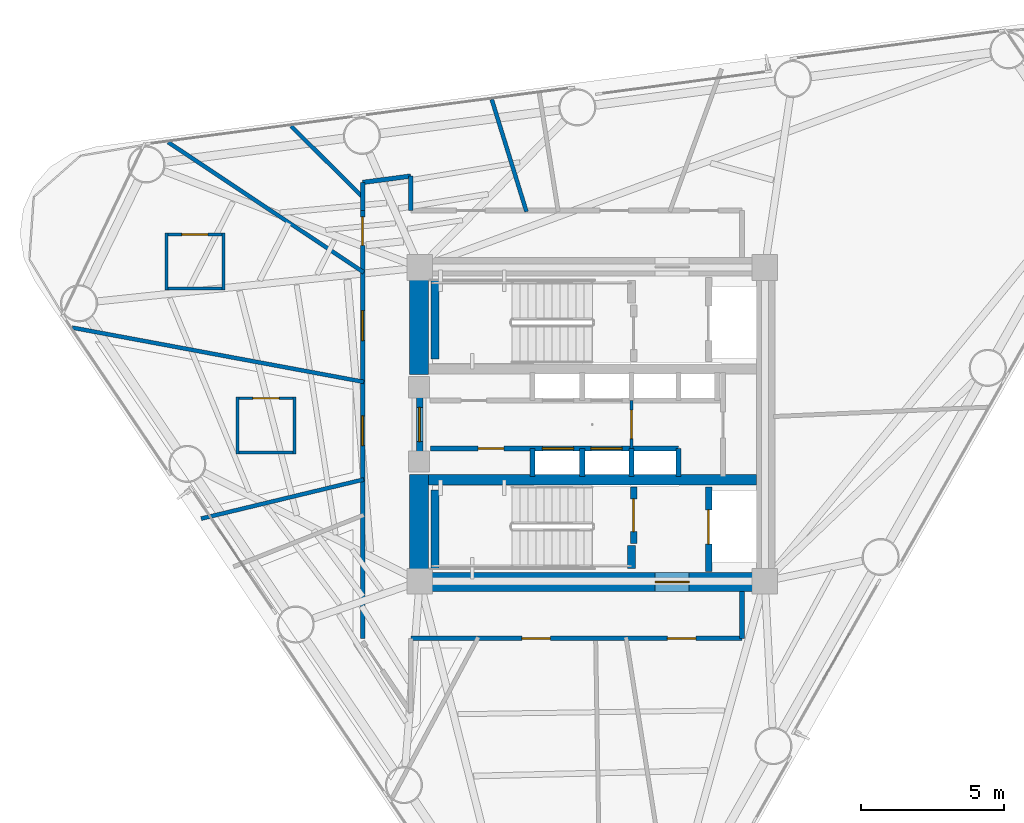
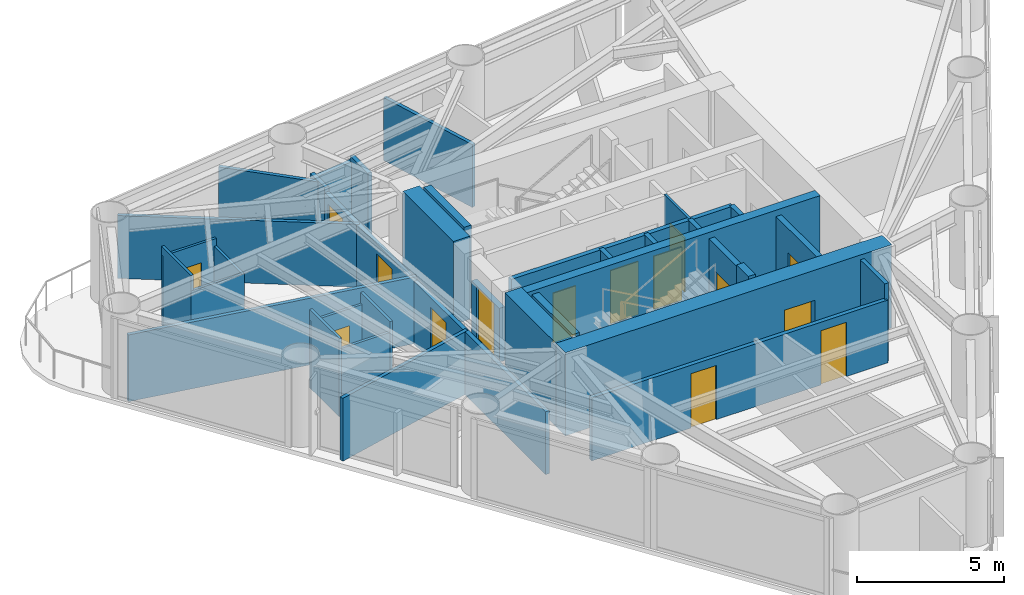
# One storey, part 5 of 10: 35 walls, 15 doors, 15 openings.
"""IFC4 building model written with IfcOpenShell, lengths in metres."""

from ifc_helpers import new_model, si_unit, direction, frame, frame_2d, origin, place, context, subcontext, project, spatial, rectangle, extrude, material, layer, layer_set, type_object, element, fill, save


model = new_model("IFC4")

# Units and contexts
model_context = context("Model", 3, precision=1e-05, world=origin(), true_north=direction((0.0, 1.0)))
body_context = subcontext(model_context, "Body", "Model", "MODEL_VIEW")
ifc_project = project(units=[si_unit("LENGTHUNIT", "METRE"), si_unit("AREAUNIT", "SQUARE_METRE"), si_unit("VOLUMEUNIT", "CUBIC_METRE"), si_unit("PLANEANGLEUNIT", "RADIAN"), si_unit("MASSUNIT", "GRAM", prefix="KILO")], contexts=[model_context])

# Site, building, storey
site_placement = place(None, origin())
site = spatial("IfcSite", under=ifc_project, at=site_placement, CompositionType="ELEMENT")
building_placement = place(site_placement, origin())
building = spatial("IfcBuilding", under=site, at=building_placement, Name="Yunling Apex Tower", CompositionType="ELEMENT")
storey_placement = place(building_placement, frame((0.0, 0.0, 158.75)))
storey = spatial("IfcBuildingStorey", under=building, at=storey_placement, Name="L38", CompositionType="ELEMENT", Elevation=158.75)

# Wall, opening, door
ifc_material_1 = material(Name="Concrete C50", Category="concrete")
ifc_layer_1 = layer(ifc_material_1, 0.64990234375)
ifc_layer_set_1 = layer_set([ifc_layer_1], Name="Concrete C50")
wall_type_1 = type_object("IfcWallType", Name="WL-COR-2", PredefinedType="SHEAR", material=ifc_layer_set_1)
wall_1_placement = place(storey_placement, frame((-6.39990234375, -5.52490234375, 0.0), z_axis=(0.0, 0.0, 1.0), x_axis=(1.0, 0.0, 0.0)))
wall_1 = element("IfcWall", 1, at=wall_1_placement, inside=storey, type_object=wall_type_1, Name="L38 South Core Shear Wall", PredefinedType="SHEAR", context=body_context, shape_type="SweptSolid", body=[
    extrude(rectangle(XDim=12.7998046875, YDim=0.64990234375, at=frame_2d((6.39990234375, 0.0))), origin(), (0.0, 0.0, 1.0), 3.449951171875),
])
opening_1_placement = place(wall_1_placement, frame((8.60009765625, 0.0, 0.0)))
opening_1 = element("IfcOpeningElement", 2, at=opening_1_placement, cuts=wall_1, Name="Opening DR-FFL-1", PredefinedType="OPENING", context=body_context, shape_type="SweptSolid", body=[
    extrude(rectangle(XDim=1.199951171875, YDim=2.199951171875, at=frame_2d((0.60009765625, 1.10009765625))), frame((0.0, 0.3349609375, 0.0), z_axis=(0.0, -1.0, 0.0), x_axis=(1.0, 0.0, 0.0)), (0.0, 0.0, 1.0), 0.669921875),
])
ifc_material_2 = material(Name="Steel Q355B", Category="steel")
door_type_1 = type_object("IfcDoorType", Name="DR-FFL-1", OperationType="NOTDEFINED", PredefinedType="DOOR", material=ifc_material_2)
door_1_placement = place(opening_1_placement, origin())
door_1 = element("IfcDoor", 3, at=door_1_placement, inside=storey, type_object=door_type_1, Name="L38 South Firefighting Lobby Door", OperationType="SINGLE_SWING_RIGHT", OverallHeight=2.199951171875, OverallWidth=1.199951171875, PredefinedType="DOOR", context=body_context, shape_type="SweptSolid", body=[
    extrude(rectangle(XDim=1.199951171875, YDim=2.199951171875, at=frame_2d((0.60009765625, 1.10009765625))), frame((0.0, 0.02490234375, 0.0), z_axis=(0.0, -1.0, 0.0), x_axis=(1.0, 0.0, 0.0)), (0.0, 0.0, 1.0), 0.050048828125),
])
fill(opening_1, door_1)

# Walls
for number, where, z_axis, x_axis, name in (
    (4, (-6.074951171875, -5.199951171875, 0.0), (0.0, 0.0, 1.0), (0.0, 1.0, 0.0), "L38 West-South Core Shear Wall"),
    (5, (-6.074951171875, 1.75, 0.0), (0.0, 0.0, 1.0), (0.0, 1.0, 0.0), "L38 West-North Core Shear Wall"),
):
    element("IfcWall", number, at=place(storey_placement, frame(where, z_axis=z_axis, x_axis=x_axis)), inside=storey, type_object=wall_type_1, Name=name, PredefinedType="SHEAR", context=body_context, shape_type="SweptSolid", body=[
        extrude(rectangle(XDim=3.449951171875, YDim=0.64990234375, at=frame_2d((1.72509765625, 0.0))), origin(), (0.0, 0.0, 1.0), 3.449951171875),
    ])
ifc_material_3 = material(Name="Concrete C40", Category="concrete")
ifc_layer_2 = layer(ifc_material_3, 0.360107421875)
ifc_layer_set_2 = layer_set([ifc_layer_2], Name="Concrete C40")
wall_type_2 = type_object("IfcWallType", Name="WL-COR-4", PredefinedType="SHEAR", material=ifc_layer_set_2)
wall_2_placement = place(storey_placement, frame((-5.75, -1.93994140625, 0.0), z_axis=(0.0, 0.0, 1.0), x_axis=(1.0, 0.0, 0.0)))
element("IfcWall", 6, at=wall_2_placement, inside=storey, type_object=wall_type_2, Name="L38 South Internal Core Shear Wall", PredefinedType="SHEAR", context=body_context, shape_type="SweptSolid", body=[
    extrude(rectangle(XDim=11.5, YDim=0.360107421875, at=frame_2d((5.75, 0.0))), origin(), (0.0, 0.0, 1.0), 3.449951171875),
])
ifc_layer_3 = layer(ifc_material_3, 0.280029296875)
ifc_layer_set_3 = layer_set([ifc_layer_3], Name="Concrete C40")
wall_type_3 = type_object("IfcWallType", Name="WL-COR-8", PredefinedType="SHEAR", material=ifc_layer_set_3)
for number, where, z_axis, x_axis, name in (
    (7, (-5.52001953125, 2.300048828125, 0.0), (0.0, 0.0, 1.0), (0.0, 1.0, 0.0), "L38 ST-1 West Landing Bearing Wall"),
    (8, (-5.52001953125, -5.050048828125, 0.0), (0.0, 0.0, 1.0), (0.0, 1.0, 0.0), "L38 ST-2 West Landing Bearing Wall"),
):
    element("IfcWall", number, at=place(storey_placement, frame(where, z_axis=z_axis, x_axis=x_axis)), inside=storey, type_object=wall_type_3, Name=name, PredefinedType="SHEAR", context=body_context, shape_type="SweptSolid", body=[
        extrude(rectangle(XDim=2.75, YDim=0.280029296875, at=frame_2d((1.375, 0.0))), origin(), (0.0, 0.0, 1.0), 3.449951171875),
    ])
wall_3_placement = place(storey_placement, frame((1.3798828125, -5.050048828125, 0.0), z_axis=(0.0, 0.0, 1.0), x_axis=(0.0, 1.0, 0.0)))
element("IfcWall", 9, at=wall_3_placement, inside=storey, type_object=wall_type_3, Name="L38 ST-2 East Landing Bearing Pier", PredefinedType="SHEAR", context=body_context, shape_type="SweptSolid", body=[
    extrude(rectangle(XDim=0.800048828125, YDim=0.280029296875, at=frame_2d((0.39990234375, 0.0))), origin(), (0.0, 0.0, 1.0), 3.449951171875),
])

# Wall, openings, doors
ifc_material_4 = material(Name="Gypsum board acoustic partition")
ifc_layer_4 = layer(ifc_material_4, 0.159912109375)
ifc_layer_set_4 = layer_set([ifc_layer_4], Name="Gypsum board acoustic partition")
wall_type_4 = type_object("IfcWallType", Name="WL-PRT-1", PredefinedType="PARTITIONING", material=ifc_layer_set_4)
wall_4_placement = place(storey_placement, frame((-8.050048828125, -7.5, 0.0), z_axis=(0.0, 0.0, 1.0), x_axis=(0.0, 1.0, 0.0)))
wall_4 = element("IfcWall", 10, at=wall_4_placement, inside=storey, type_object=wall_type_4, Name="WL-CORR-L38-03", PredefinedType="PARTITIONING", context=body_context, shape_type="SweptSolid", body=[
    extrude(rectangle(XDim=15.0, YDim=0.159912109375, at=frame_2d((7.5, 0.0))), origin(), (0.0, 0.0, 1.0), 2.60498046875),
])
opening_2_placement = place(wall_4_placement, frame((6.7529296875, 0.0, 0.0)))
opening_2 = element("IfcOpeningElement", 11, at=opening_2_placement, cuts=wall_4, Name="Opening DR-FL-1", PredefinedType="OPENING", context=body_context, shape_type="SweptSolid", body=[
    extrude(rectangle(XDim=1.050048828125, YDim=2.199951171875, at=frame_2d((0.52490234375, 1.10009765625))), frame((0.0, 0.08984375, 0.0), z_axis=(0.0, -1.0, 0.0), x_axis=(1.0, 0.0, 0.0)), (0.0, 0.0, 1.0), 0.179931640625),
])
opening_3_placement = place(wall_4_placement, frame((10.436279296875, 0.0, 0.0)))
opening_3 = element("IfcOpeningElement", 12, at=opening_3_placement, cuts=wall_4, Name="Opening DR-FL-1", PredefinedType="OPENING", context=body_context, shape_type="SweptSolid", body=[
    extrude(rectangle(XDim=1.050048828125, YDim=2.199951171875, at=frame_2d((0.52490234375, 1.10009765625))), frame((0.0, 0.08984375, 0.0), z_axis=(0.0, -1.0, 0.0), x_axis=(1.0, 0.0, 0.0)), (0.0, 0.0, 1.0), 0.179931640625),
])
opening_4_placement = place(wall_4_placement, frame((13.780029296875, 0.0, 0.0)))
opening_4 = element("IfcOpeningElement", 13, at=opening_4_placement, cuts=wall_4, Name="Opening DR-OFF-1", PredefinedType="OPENING", context=body_context, shape_type="SweptSolid", body=[
    extrude(rectangle(XDim=1.0, YDim=2.25, at=frame_2d((0.5, 1.125))), frame((0.0, 0.08984375, 0.0), z_axis=(0.0, -1.0, 0.0), x_axis=(1.0, 0.0, 0.0)), (0.0, 0.0, 1.0), 0.179931640625),
])
ifc_material_5 = material(Name="Timber fire-rated leaf", Category="wood")
door_type_2 = type_object("IfcDoorType", Name="DR-FL-1", OperationType="NOTDEFINED", PredefinedType="DOOR", material=ifc_material_5)
door_2_placement = place(opening_2_placement, origin())
door_2 = element("IfcDoor", 14, at=door_2_placement, inside=storey, type_object=door_type_2, Name="L38 Hotel Guest Room Door", OperationType="SINGLE_SWING_LEFT", OverallHeight=2.199951171875, OverallWidth=1.050048828125, PredefinedType="DOOR", context=body_context, shape_type="SweptSolid", body=[
    extrude(rectangle(XDim=1.050048828125, YDim=2.199951171875, at=frame_2d((0.52490234375, 1.10009765625))), frame((0.0, 0.02490234375, 0.0), z_axis=(0.0, -1.0, 0.0), x_axis=(1.0, 0.0, 0.0)), (0.0, 0.0, 1.0), 0.050048828125),
])
fill(opening_2, door_2)
door_3_placement = place(opening_3_placement, origin())
door_3 = element("IfcDoor", 15, at=door_3_placement, inside=storey, type_object=door_type_2, Name="L38 Hotel Suite Door", OperationType="SINGLE_SWING_RIGHT", OverallHeight=2.199951171875, OverallWidth=1.050048828125, PredefinedType="DOOR", context=body_context, shape_type="SweptSolid", body=[
    extrude(rectangle(XDim=1.050048828125, YDim=2.199951171875, at=frame_2d((0.52490234375, 1.10009765625))), frame((0.0, 0.02490234375, 0.0), z_axis=(0.0, -1.0, 0.0), x_axis=(1.0, 0.0, 0.0)), (0.0, 0.0, 1.0), 0.050048828125),
])
fill(opening_3, door_3)
ifc_material_6 = material(Name="Bronze anodised aluminium", Category="aluminium")
door_type_3 = type_object("IfcDoorType", Name="DR-OFF-1", OperationType="NOTDEFINED", PredefinedType="DOOR", material=ifc_material_6)
door_4_placement = place(opening_4_placement, origin())
door_4 = element("IfcDoor", 16, at=door_4_placement, inside=storey, type_object=door_type_3, Name="L38 Club Lounge Door", OperationType="SINGLE_SWING_LEFT", OverallHeight=2.25, OverallWidth=1.0, PredefinedType="DOOR", context=body_context, shape_type="SweptSolid", body=[
    extrude(rectangle(XDim=1.0, YDim=2.25, at=frame_2d((0.5, 1.125))), frame((0.0, 0.02490234375, 0.0), z_axis=(0.0, -1.0, 0.0), x_axis=(1.0, 0.0, 0.0)), (0.0, 0.0, 1.0), 0.050048828125),
])
fill(opening_4, door_4)

# Walls
wall_5_placement = place(storey_placement, frame((-8.050048828125, 7.5, 0.0), z_axis=(0.0, 0.0, 1.0), x_axis=(0.0, 1.0, 0.0)))
element("IfcWall", 17, at=wall_5_placement, inside=storey, type_object=wall_type_4, Name="WL-CORR-L38-04", PredefinedType="PARTITIONING", context=body_context, shape_type="SweptSolid", body=[
    extrude(rectangle(XDim=0.983642578125, YDim=0.159912109375, at=frame_2d((0.49169921875, 0.0))), origin(), (0.0, 0.0, 1.0), 2.804931640625),
])
wall_6_placement = place(storey_placement, frame((-8.050048828125, 8.483642578125, 0.0), z_axis=(0.0, 0.0, 1.0), x_axis=(0.991338869543, 0.131328769629, 0.0)))
element("IfcWall", 18, at=wall_6_placement, inside=storey, type_object=wall_type_4, Name="WL-CORR-L38-05", PredefinedType="PARTITIONING", context=body_context, shape_type="SweptSolid", body=[
    extrude(rectangle(XDim=1.70458984375, YDim=0.159912109375, at=frame_2d((0.852294921875, 0.0))), origin(), (0.0, 0.0, 1.0), 2.60498046875),
])
wall_7_placement = place(storey_placement, frame((-6.360107421875, 8.70751953125, 0.0), z_axis=(0.0, 0.0, 1.0), x_axis=(0.0, -1.0, 0.0)))
element("IfcWall", 19, at=wall_7_placement, inside=storey, type_object=wall_type_4, Name="WL-CORR-L38-06", PredefinedType="PARTITIONING", context=body_context, shape_type="SweptSolid", body=[
    extrude(rectangle(XDim=1.20751953125, YDim=0.159912109375, at=frame_2d((0.603759765625, 0.0))), origin(), (0.0, 0.0, 1.0), 2.804931640625),
])
wall_8_placement = place(storey_placement, frame((5.25, -5.85009765625, 0.0), z_axis=(0.0, 0.0, 1.0), x_axis=(0.0, -1.0, 0.0)))
element("IfcWall", 20, at=wall_8_placement, inside=storey, type_object=wall_type_4, Name="WL-CORR-L38-09", PredefinedType="PARTITIONING", context=body_context, shape_type="SweptSolid", body=[
    extrude(rectangle(XDim=1.64990234375, YDim=0.159912109375, at=frame_2d((0.824951171875, 0.0))), origin(), (0.0, 0.0, 1.0), 3.25),
])

# Wall, openings, doors
wall_9_placement = place(storey_placement, frame((5.25, -7.5, 0.0), z_axis=(0.0, 0.0, 1.0), x_axis=(-1.0, 0.0, 0.0)))
wall_9 = element("IfcWall", 21, at=wall_9_placement, inside=storey, type_object=wall_type_4, Name="WL-CORR-L38-10", PredefinedType="PARTITIONING", context=body_context, shape_type="SweptSolid", body=[
    extrude(rectangle(XDim=11.610107421875, YDim=0.159912109375, at=frame_2d((5.80517578125, 0.0))), origin(), (0.0, 0.0, 1.0), 2.60498046875),
])
opening_5_placement = place(wall_9_placement, frame((1.6181640625, 0.0, 0.0)))
opening_5 = element("IfcOpeningElement", 22, at=opening_5_placement, cuts=wall_9, Name="Opening DR-OFF-1", PredefinedType="OPENING", context=body_context, shape_type="SweptSolid", body=[
    extrude(rectangle(XDim=1.0, YDim=2.25, at=frame_2d((0.5, 1.125))), frame((0.0, 0.08984375, 0.0), z_axis=(0.0, -1.0, 0.0), x_axis=(1.0, 0.0, 0.0)), (0.0, 0.0, 1.0), 0.179931640625),
])
opening_6_placement = place(wall_9_placement, frame((6.718505859375, 0.0, 0.0)))
opening_6 = element("IfcOpeningElement", 23, at=opening_6_placement, cuts=wall_9, Name="Opening DR-OFF-1", PredefinedType="OPENING", context=body_context, shape_type="SweptSolid", body=[
    extrude(rectangle(XDim=1.0, YDim=2.25, at=frame_2d((0.5, 1.125))), frame((0.0, 0.08984375, 0.0), z_axis=(0.0, -1.0, 0.0), x_axis=(1.0, 0.0, 0.0)), (0.0, 0.0, 1.0), 0.179931640625),
])
door_5_placement = place(opening_5_placement, origin())
door_5 = element("IfcDoor", 24, at=door_5_placement, inside=storey, type_object=door_type_3, Name="L38 Club Lounge Door", OperationType="SINGLE_SWING_LEFT", OverallHeight=2.25, OverallWidth=1.0, PredefinedType="DOOR", context=body_context, shape_type="SweptSolid", body=[
    extrude(rectangle(XDim=1.0, YDim=2.25, at=frame_2d((0.5, 1.125))), frame((0.0, 0.02490234375, 0.0), z_axis=(0.0, -1.0, 0.0), x_axis=(1.0, 0.0, 0.0)), (0.0, 0.0, 1.0), 0.050048828125),
])
fill(opening_5, door_5)
door_6_placement = place(opening_6_placement, origin())
door_6 = element("IfcDoor", 25, at=door_6_placement, inside=storey, type_object=door_type_3, Name="L38 Luggage Archive Store Door", OperationType="SINGLE_SWING_RIGHT", OverallHeight=2.25, OverallWidth=1.0, PredefinedType="DOOR", context=body_context, shape_type="SweptSolid", body=[
    extrude(rectangle(XDim=1.0, YDim=2.25, at=frame_2d((0.5, 1.125))), frame((0.0, 0.02490234375, 0.0), z_axis=(0.0, -1.0, 0.0), x_axis=(1.0, 0.0, 0.0)), (0.0, 0.0, 1.0), 0.050048828125),
])
fill(opening_6, door_6)

# Walls
ifc_layer_5 = layer(ifc_material_4, 0.139892578125)
ifc_layer_set_5 = layer_set([ifc_layer_5], Name="Gypsum board acoustic partition")
wall_type_5 = type_object("IfcWallType", Name="WL-PRT-2", PredefinedType="PARTITIONING", material=ifc_layer_set_5)
wall_10_placement = place(storey_placement, frame((-2.306640625, 7.4599609375, 0.0), z_axis=(0.0, 0.0, 1.0), x_axis=(-0.295406664686, 0.955371604382, 0.0)))
element("IfcWall", 26, at=wall_10_placement, inside=storey, type_object=wall_type_5, Name="WL-RAD-L38-04", PredefinedType="PARTITIONING", context=body_context, shape_type="SweptSolid", body=[
    extrude(rectangle(XDim=4.11669921875, YDim=0.139892578125, at=frame_2d((2.058349609375, 0.0))), origin(), (0.0, 0.0, 1.0), 2.60498046875),
])
wall_11_placement = place(storey_placement, frame((-8.010009765625, 7.93408203125, 0.0), z_axis=(0.0, 0.0, 1.0), x_axis=(-0.710464129117, 0.703733416315, 0.0)))
element("IfcWall", 27, at=wall_11_placement, inside=storey, type_object=wall_type_5, Name="WL-RAD-L38-05", PredefinedType="PARTITIONING", context=body_context, shape_type="SweptSolid", body=[
    extrude(rectangle(XDim=3.591064453125, YDim=0.139892578125, at=frame_2d((1.79541015625, 0.0))), origin(), (0.0, 0.0, 1.0), 2.764892578125),
])
wall_12_placement = place(storey_placement, frame((-8.010009765625, 5.3291015625, 0.0), z_axis=(0.0, 0.0, 1.0), x_axis=(-0.832565256492, 0.553926975044, 0.0)))
element("IfcWall", 28, at=wall_12_placement, inside=storey, type_object=wall_type_5, Name="WL-RAD-L38-06", PredefinedType="PARTITIONING", context=body_context, shape_type="SweptSolid", body=[
    extrude(rectangle(XDim=8.236083984375, YDim=0.139892578125, at=frame_2d((4.1181640625, 0.0))), origin(), (0.0, 0.0, 1.0), 2.60498046875),
])
wall_13_placement = place(storey_placement, frame((-8.010009765625, 1.4912109375, 0.0), z_axis=(0.0, 0.0, 1.0), x_axis=(-0.983113838534, 0.182995028575, 0.0)))
element("IfcWall", 29, at=wall_13_placement, inside=storey, type_object=wall_type_5, Name="WL-RAD-L38-07", PredefinedType="PARTITIONING", context=body_context, shape_type="SweptSolid", body=[
    extrude(rectangle(XDim=10.394287109375, YDim=0.139892578125, at=frame_2d((5.197265625, 0.0))), origin(), (0.0, 0.0, 1.0), 2.764892578125),
])
wall_14_placement = place(storey_placement, frame((-8.010009765625, -1.9296875, 0.0), z_axis=(0.0, 0.0, 1.0), x_axis=(-0.972178712373, -0.23424037058, 0.0)))
element("IfcWall", 30, at=wall_14_placement, inside=storey, type_object=wall_type_5, Name="WL-RAD-L38-08", PredefinedType="PARTITIONING", context=body_context, shape_type="SweptSolid", body=[
    extrude(rectangle(XDim=5.86474609375, YDim=0.139892578125, at=frame_2d((2.932373046875, 0.0))), origin(), (0.0, 0.0, 1.0), 2.60498046875),
])

# Wall, opening, door
ifc_layer_6 = layer(ifc_material_4, 0.10009765625)
ifc_layer_set_6 = layer_set([ifc_layer_6], Name="Gypsum board acoustic partition")
wall_type_6 = type_object("IfcWallType", Name="WL-PRT-4", PredefinedType="PARTITIONING", material=ifc_layer_set_6)
wall_15_placement = place(storey_placement, frame((1.3798828125, -0.840087890625, 0.0), z_axis=(0.0, 0.0, 1.0), x_axis=(0.0, 1.0, 0.0)))
wall_15 = element("IfcWall", 31, at=wall_15_placement, inside=storey, type_object=wall_type_6, Name="WL-LOB-MID-L38", PredefinedType="PARTITIONING", context=body_context, shape_type="SweptSolid", body=[
    extrude(rectangle(XDim=1.68017578125, YDim=0.10009765625, at=frame_2d((0.840087890625, 0.0))), origin(), (0.0, 0.0, 1.0), 3.25),
])
opening_7_placement = place(wall_15_placement, frame((0.340087890625, 0.0, 0.0)))
opening_7 = element("IfcOpeningElement", 32, at=opening_7_placement, cuts=wall_15, Name="Opening DR-OFF-1", PredefinedType="OPENING", context=body_context, shape_type="SweptSolid", body=[
    extrude(rectangle(XDim=1.0, YDim=2.25, at=frame_2d((0.5, 1.125))), frame((0.0, 0.06005859375, 0.0), z_axis=(0.0, -1.0, 0.0), x_axis=(1.0, 0.0, 0.0)), (0.0, 0.0, 1.0), 0.1201171875),
])
door_7_placement = place(opening_7_placement, origin())
door_7 = element("IfcDoor", 33, at=door_7_placement, inside=storey, type_object=door_type_3, Name="L38 Core Lobby Link Door", OperationType="SINGLE_SWING_RIGHT", OverallHeight=2.25, OverallWidth=1.0, PredefinedType="DOOR", context=body_context, shape_type="SweptSolid", body=[
    extrude(rectangle(XDim=1.0, YDim=2.25, at=frame_2d((0.5, 1.125))), frame((0.0, 0.02490234375, 0.0), z_axis=(0.0, -1.0, 0.0), x_axis=(1.0, 0.0, 0.0)), (0.0, 0.0, 1.0), 0.050048828125),
])
fill(opening_7, door_7)

wall_16_placement = place(storey_placement, frame((-14.98193359375, 6.6640625, 0.0), z_axis=(0.0, 0.0, 1.0), x_axis=(1.0, 0.0, 0.0)))
wall_16 = element("IfcWall", 34, at=wall_16_placement, inside=storey, type_object=wall_type_6, Name="WL-ENS-L38-11N", PredefinedType="PARTITIONING", context=body_context, shape_type="SweptSolid", body=[
    extrude(rectangle(XDim=2.099853515625, YDim=0.10009765625, at=frame_2d((1.0498046875, 0.0))), origin(), (0.0, 0.0, 1.0), 2.905029296875),
])
opening_8_placement = place(wall_16_placement, frame((0.590087890625, 0.0, 0.0)))
opening_8 = element("IfcOpeningElement", 35, at=opening_8_placement, cuts=wall_16, Name="Opening DR-WC-1", PredefinedType="OPENING", context=body_context, shape_type="SweptSolid", body=[
    extrude(rectangle(XDim=0.919921875, YDim=2.10009765625, at=frame_2d((0.4599609375, 1.050048828125))), frame((0.0, 0.06005859375, 0.0), z_axis=(0.0, -1.0, 0.0), x_axis=(1.0, 0.0, 0.0)), (0.0, 0.0, 1.0), 0.1201171875),
])
ifc_material_7 = material(Name="Timber moisture-resistant leaf", Category="wood")
door_type_4 = type_object("IfcDoorType", Name="DR-WC-1", OperationType="NOTDEFINED", PredefinedType="DOOR", material=ifc_material_7)
door_8_placement = place(opening_8_placement, origin())
door_8 = element("IfcDoor", 36, at=door_8_placement, inside=storey, type_object=door_type_4, Name="L38 En-Suite Door", OperationType="SINGLE_SWING_RIGHT", OverallHeight=2.10009765625, OverallWidth=0.919921875, PredefinedType="DOOR", context=body_context, shape_type="SweptSolid", body=[
    extrude(rectangle(XDim=0.919921875, YDim=2.10009765625, at=frame_2d((0.4599609375, 1.050048828125))), frame((0.0, 0.02490234375, 0.0), z_axis=(0.0, -1.0, 0.0), x_axis=(1.0, 0.0, 0.0)), (0.0, 0.0, 1.0), 0.050048828125),
])
fill(opening_8, door_8)

# Walls
wall_17_placement = place(storey_placement, frame((-12.882080078125, 4.763916015625, 0.0), z_axis=(0.0, 0.0, 1.0), x_axis=(-1.0, 0.0, 0.0)))
element("IfcWall", 37, at=wall_17_placement, inside=storey, type_object=wall_type_6, Name="WL-ENS-L38-11S", PredefinedType="PARTITIONING", context=body_context, shape_type="SweptSolid", body=[
    extrude(rectangle(XDim=2.099853515625, YDim=0.10009765625, at=frame_2d((1.0498046875, 0.0))), origin(), (0.0, 0.0, 1.0), 2.60498046875),
])
wall_18_placement = place(storey_placement, frame((-12.931884765625, 6.714111328125, 0.0), z_axis=(0.0, 0.0, 1.0), x_axis=(0.0, -1.0, 0.0)))
element("IfcWall", 38, at=wall_18_placement, inside=storey, type_object=wall_type_6, Name="WL-ENS-L38-11E", PredefinedType="PARTITIONING", context=body_context, shape_type="SweptSolid", body=[
    extrude(rectangle(XDim=2.0, YDim=0.10009765625, at=frame_2d((1.0, 0.0))), origin(), (0.0, 0.0, 1.0), 2.60498046875),
])
wall_19_placement = place(storey_placement, frame((-14.931884765625, 4.714111328125, 0.0), z_axis=(0.0, 0.0, 1.0), x_axis=(0.0, 1.0, 0.0)))
element("IfcWall", 39, at=wall_19_placement, inside=storey, type_object=wall_type_6, Name="WL-ENS-L38-11W", PredefinedType="PARTITIONING", context=body_context, shape_type="SweptSolid", body=[
    extrude(rectangle(XDim=2.0, YDim=0.10009765625, at=frame_2d((1.0, 0.0))), origin(), (0.0, 0.0, 1.0), 3.25),
])

# Wall, opening, door
wall_20_placement = place(storey_placement, frame((-12.491943359375, 0.91796875, 0.0), z_axis=(0.0, 0.0, 1.0), x_axis=(1.0, 0.0, 0.0)))
wall_20 = element("IfcWall", 40, at=wall_20_placement, inside=storey, type_object=wall_type_6, Name="WL-ENS-L38-12N", PredefinedType="PARTITIONING", context=body_context, shape_type="SweptSolid", body=[
    extrude(rectangle(XDim=2.099853515625, YDim=0.10009765625, at=frame_2d((1.0498046875, 0.0))), origin(), (0.0, 0.0, 1.0), 2.804931640625),
])
opening_9_placement = place(wall_20_placement, frame((0.590087890625, 0.0, 0.0)))
opening_9 = element("IfcOpeningElement", 41, at=opening_9_placement, cuts=wall_20, Name="Opening DR-WC-1", PredefinedType="OPENING", context=body_context, shape_type="SweptSolid", body=[
    extrude(rectangle(XDim=0.919921875, YDim=2.10009765625, at=frame_2d((0.4599609375, 1.050048828125))), frame((0.0, 0.06005859375, 0.0), z_axis=(0.0, -1.0, 0.0), x_axis=(1.0, 0.0, 0.0)), (0.0, 0.0, 1.0), 0.1201171875),
])
door_9_placement = place(opening_9_placement, origin())
door_9 = element("IfcDoor", 42, at=door_9_placement, inside=storey, type_object=door_type_4, Name="L38 En-Suite Door", OperationType="SINGLE_SWING_LEFT", OverallHeight=2.10009765625, OverallWidth=0.919921875, PredefinedType="DOOR", context=body_context, shape_type="SweptSolid", body=[
    extrude(rectangle(XDim=0.919921875, YDim=2.10009765625, at=frame_2d((0.4599609375, 1.050048828125))), frame((0.0, 0.02490234375, 0.0), z_axis=(0.0, -1.0, 0.0), x_axis=(1.0, 0.0, 0.0)), (0.0, 0.0, 1.0), 0.050048828125),
])
fill(opening_9, door_9)

# Walls
wall_21_placement = place(storey_placement, frame((-10.39208984375, -0.98193359375, 0.0), z_axis=(0.0, 0.0, 1.0), x_axis=(-1.0, 0.0, 0.0)))
element("IfcWall", 43, at=wall_21_placement, inside=storey, type_object=wall_type_6, Name="WL-ENS-L38-12S", PredefinedType="PARTITIONING", context=body_context, shape_type="SweptSolid", body=[
    extrude(rectangle(XDim=2.099853515625, YDim=0.10009765625, at=frame_2d((1.0498046875, 0.0))), origin(), (0.0, 0.0, 1.0), 2.804931640625),
])
for number, where, z_axis, x_axis, name in (
    (44, (-10.44189453125, 0.968017578125, 0.0), (0.0, 0.0, 1.0), (0.0, -1.0, 0.0), "WL-ENS-L38-12E"),
    (45, (-12.44189453125, -1.031982421875, 0.0), (0.0, 0.0, 1.0), (0.0, 1.0, 0.0), "WL-ENS-L38-12W"),
):
    element("IfcWall", number, at=place(storey_placement, frame(where, z_axis=z_axis, x_axis=x_axis)), inside=storey, type_object=wall_type_6, Name=name, PredefinedType="PARTITIONING", context=body_context, shape_type="SweptSolid", body=[
        extrude(rectangle(XDim=2.0, YDim=0.10009765625, at=frame_2d((1.0, 0.0))), origin(), (0.0, 0.0, 1.0), 3.25),
    ])

# Wall, opening, door
ifc_material_8 = material(Name="Autoclaved aerated concrete masonry", Category="masonry")
ifc_layer_7 = layer(ifc_material_8, 0.219970703125)
ifc_layer_set_7 = layer_set([ifc_layer_7], Name="Autoclaved aerated concrete masonry")
wall_type_7 = type_object("IfcWallType", Name="WL-SHF-1", PredefinedType="PLUMBINGWALL", material=ifc_layer_set_7)
wall_22_placement = place(storey_placement, frame((-6.050048828125, -0.949951171875, 0.0), z_axis=(0.0, 0.0, 1.0), x_axis=(0.0, 1.0, 0.0)))
wall_22 = element("IfcWall", 46, at=wall_22_placement, inside=storey, type_object=wall_type_7, Name="WL-COR-WPORT-L38", PredefinedType="PLUMBINGWALL", context=body_context, shape_type="SweptSolid", body=[
    extrude(rectangle(XDim=1.89990234375, YDim=0.219970703125, at=frame_2d((0.949951171875, 0.0))), origin(), (0.0, 0.0, 1.0), 2.22998046875),
])
opening_10_placement = place(wall_22_placement, frame((0.35009765625, 0.0, 0.0)))
opening_10 = element("IfcOpeningElement", 47, at=opening_10_placement, cuts=wall_22, Name="Opening DR-FFL-1", PredefinedType="OPENING", context=body_context, shape_type="SweptSolid", body=[
    extrude(rectangle(XDim=1.199951171875, YDim=2.199951171875, at=frame_2d((0.60009765625, 1.10009765625))), frame((0.0, 0.1201171875, 0.0), z_axis=(0.0, -1.0, 0.0), x_axis=(1.0, 0.0, 0.0)), (0.0, 0.0, 1.0), 0.239990234375),
])
door_10_placement = place(opening_10_placement, origin())
door_10 = element("IfcDoor", 48, at=door_10_placement, inside=storey, type_object=door_type_1, Name="L38 Passenger Lift Lobby Entrance Door", OperationType="SINGLE_SWING_RIGHT", OverallHeight=2.199951171875, OverallWidth=1.199951171875, PredefinedType="DOOR", context=body_context, shape_type="SweptSolid", body=[
    extrude(rectangle(XDim=1.199951171875, YDim=2.199951171875, at=frame_2d((0.60009765625, 1.10009765625))), frame((0.0, 0.02490234375, 0.0), z_axis=(0.0, -1.0, 0.0), x_axis=(1.0, 0.0, 0.0)), (0.0, 0.0, 1.0), 0.050048828125),
])
fill(opening_10, door_10)

wall_23_placement = place(storey_placement, frame((1.449951171875, -4.179931640625, 0.0), z_axis=(0.0, 0.0, 1.0), x_axis=(0.0, 1.0, 0.0)))
wall_23 = element("IfcWall", 49, at=wall_23_placement, inside=storey, type_object=wall_type_7, Name="WL-ST2-E-L38", PredefinedType="PLUMBINGWALL", context=body_context, shape_type="SweptSolid", body=[
    extrude(rectangle(XDim=1.97998046875, YDim=0.219970703125, at=frame_2d((0.989990234375, 0.0))), origin(), (0.0, 0.0, 1.0), 3.25),
])
opening_11_placement = place(wall_23_placement, frame((0.419921875, 0.0, 0.0)))
opening_11 = element("IfcOpeningElement", 50, at=opening_11_placement, cuts=wall_23, Name="Opening DR-ST-1", PredefinedType="OPENING", context=body_context, shape_type="SweptSolid", body=[
    extrude(rectangle(XDim=1.14990234375, YDim=2.14990234375, at=frame_2d((0.574951171875, 1.074951171875))), frame((0.0, 0.1201171875, 0.0), z_axis=(0.0, -1.0, 0.0), x_axis=(1.0, 0.0, 0.0)), (0.0, 0.0, 1.0), 0.239990234375),
])
door_type_5 = type_object("IfcDoorType", Name="DR-ST-1", OperationType="NOTDEFINED", PredefinedType="DOOR", material=ifc_material_2)
door_11_placement = place(opening_11_placement, origin())
door_11 = element("IfcDoor", 51, at=door_11_placement, inside=storey, type_object=door_type_5, Name="L38 Stair ST-2 Fire Door", OperationType="SINGLE_SWING_LEFT", OverallHeight=2.14990234375, OverallWidth=1.14990234375, PredefinedType="DOOR", context=body_context, shape_type="SweptSolid", body=[
    extrude(rectangle(XDim=1.14990234375, YDim=2.14990234375, at=frame_2d((0.574951171875, 1.074951171875))), frame((0.0, 0.02490234375, 0.0), z_axis=(0.0, -1.0, 0.0), x_axis=(1.0, 0.0, 0.0)), (0.0, 0.0, 1.0), 0.050048828125),
])
fill(opening_11, door_11)

wall_24_placement = place(storey_placement, frame((4.080078125, -5.14990234375, 0.0), z_axis=(0.0, 0.0, 1.0), x_axis=(0.0, 1.0, 0.0)))
wall_24 = element("IfcWall", 52, at=wall_24_placement, inside=storey, type_object=wall_type_7, Name="WL-FFL2-W-L38", PredefinedType="PLUMBINGWALL", context=body_context, shape_type="SweptSolid", body=[
    extrude(rectangle(XDim=2.949951171875, YDim=0.219970703125, at=frame_2d((1.47509765625, 0.0))), origin(), (0.0, 0.0, 1.0), 3.25),
])
opening_12_placement = place(wall_24_placement, frame((0.949951171875, 0.0, 0.0)))
opening_12 = element("IfcOpeningElement", 53, at=opening_12_placement, cuts=wall_24, Name="Opening LD-FFL-1", PredefinedType="OPENING", context=body_context, shape_type="SweptSolid", body=[
    extrude(rectangle(XDim=1.199951171875, YDim=2.25, at=frame_2d((0.60009765625, 1.125))), frame((0.0, 0.1201171875, 0.0), z_axis=(0.0, -1.0, 0.0), x_axis=(1.0, 0.0, 0.0)), (0.0, 0.0, 1.0), 0.239990234375),
])
door_type_6 = type_object("IfcDoorType", Name="LD-FFL-1", OperationType="DOUBLE_DOOR_SLIDING", PredefinedType="DOOR", material=ifc_material_2)
door_12_placement = place(opening_12_placement, origin())
door_12 = element("IfcDoor", 54, at=door_12_placement, inside=storey, type_object=door_type_6, Name="L38 Lift FFL-2 Landing Door", OperationType="DOUBLE_DOOR_SLIDING", OverallHeight=2.25, OverallWidth=1.199951171875, PredefinedType="DOOR", context=body_context, shape_type="SweptSolid", body=[
    extrude(rectangle(XDim=1.199951171875, YDim=2.25, at=frame_2d((0.60009765625, 1.125))), frame((0.0, 0.02490234375, 0.0), z_axis=(0.0, -1.0, 0.0), x_axis=(1.0, 0.0, 0.0)), (0.0, 0.0, 1.0), 0.050048828125),
])
fill(opening_12, door_12)

# Walls
ifc_layer_8 = layer(ifc_material_8, 0.179931640625)
ifc_layer_set_8 = layer_set([ifc_layer_8], Name="Autoclaved aerated concrete masonry")
wall_type_8 = type_object("IfcWallType", Name="WL-SHF-2", PredefinedType="PLUMBINGWALL", material=ifc_layer_set_8)
for number, where, z_axis, x_axis, name in (
    (55, (-2.10009765625, -1.820068359375, 0.0), (0.0, 0.0, 1.0), (0.0, 1.0, 0.0), "WL-BNK-LM-S-L38"),
    (56, (-0.35009765625, -1.820068359375, 0.0), (0.0, 0.0, 1.0), (0.0, 1.0, 0.0), "WL-DIV-M34-L38"),
    (57, (1.3798828125, -1.820068359375, 0.0), (0.0, 0.0, 1.0), (0.0, 1.0, 0.0), "WL-BNK-MH-S-L38"),
    (58, (3.02001953125, -1.820068359375, 0.0), (0.0, 0.0, 1.0), (0.0, 1.0, 0.0), "WL-END-H2E-L38"),
):
    element("IfcWall", number, at=place(storey_placement, frame(where, z_axis=z_axis, x_axis=x_axis)), inside=storey, type_object=wall_type_8, Name=name, PredefinedType="PLUMBINGWALL", context=body_context, shape_type="SweptSolid", body=[
        extrude(rectangle(XDim=0.97998046875, YDim=0.179931640625, at=frame_2d((0.489990234375, 0.0))), origin(), (0.0, 0.0, 1.0), 3.25),
    ])

# Wall, openings, doors
wall_25_placement = place(storey_placement, frame((-5.679931640625, -0.840087890625, 0.0), z_axis=(0.0, 0.0, 1.0), x_axis=(1.0, 0.0, 0.0)))
wall_25 = element("IfcWall", 59, at=wall_25_placement, inside=storey, type_object=wall_type_8, Name="WL-LOB-S-L38", PredefinedType="PLUMBINGWALL", context=body_context, shape_type="SweptSolid", body=[
    extrude(rectangle(XDim=8.699951171875, YDim=0.179931640625, at=frame_2d((4.35009765625, 0.0))), origin(), (0.0, 0.0, 1.0), 3.25),
])
opening_13_placement = place(wall_25_placement, frame((1.679931640625, 0.0, 0.0)))
opening_13 = element("IfcOpeningElement", 60, at=opening_13_placement, cuts=wall_25, Name="Opening DR-SHF-1", PredefinedType="OPENING", context=body_context, shape_type="SweptSolid", body=[
    extrude(rectangle(XDim=0.89990234375, YDim=2.050048828125, at=frame_2d((0.449951171875, 1.02490234375))), frame((0.0, 0.10009765625, 0.0), z_axis=(0.0, -1.0, 0.0), x_axis=(1.0, 0.0, 0.0)), (0.0, 0.0, 1.0), 0.199951171875),
])
opening_14_placement = place(wall_25_placement, frame((3.929931640625, 0.0, 0.0)))
opening_14 = element("IfcOpeningElement", 61, at=opening_14_placement, cuts=wall_25, Name="Opening LD-PAS-1", PredefinedType="OPENING", context=body_context, shape_type="SweptSolid", body=[
    extrude(rectangle(XDim=1.10009765625, YDim=2.199951171875, at=frame_2d((0.550048828125, 1.10009765625))), frame((0.0, 0.10009765625, 0.0), z_axis=(0.0, -1.0, 0.0), x_axis=(1.0, 0.0, 0.0)), (0.0, 0.0, 1.0), 0.199951171875),
])
opening_15_placement = place(wall_25_placement, frame((5.6298828125, 0.0, 0.0)))
opening_15 = element("IfcOpeningElement", 62, at=opening_15_placement, cuts=wall_25, Name="Opening LD-PAS-1", PredefinedType="OPENING", context=body_context, shape_type="SweptSolid", body=[
    extrude(rectangle(XDim=1.10009765625, YDim=2.199951171875, at=frame_2d((0.550048828125, 1.10009765625))), frame((0.0, 0.10009765625, 0.0), z_axis=(0.0, -1.0, 0.0), x_axis=(1.0, 0.0, 0.0)), (0.0, 0.0, 1.0), 0.199951171875),
])
door_type_7 = type_object("IfcDoorType", Name="DR-SHF-1", OperationType="NOTDEFINED", PredefinedType="DOOR", material=ifc_material_2)
door_13_placement = place(opening_13_placement, origin())
door_13 = element("IfcDoor", 63, at=door_13_placement, inside=storey, type_object=door_type_7, Name="L38 Supply Store Door", OperationType="SINGLE_SWING_LEFT", OverallHeight=2.050048828125, OverallWidth=0.89990234375, PredefinedType="DOOR", context=body_context, shape_type="SweptSolid", body=[
    extrude(rectangle(XDim=0.89990234375, YDim=2.050048828125, at=frame_2d((0.449951171875, 1.02490234375))), frame((0.0, 0.02490234375, 0.0), z_axis=(0.0, -1.0, 0.0), x_axis=(1.0, 0.0, 0.0)), (0.0, 0.0, 1.0), 0.050048828125),
])
fill(opening_13, door_13)
ifc_material_9 = material(Name="Silver anodised aluminium", Category="aluminium")
door_type_8 = type_object("IfcDoorType", Name="LD-PAS-1", OperationType="DOUBLE_DOOR_SLIDING", PredefinedType="DOOR", material=ifc_material_9)
door_14_placement = place(opening_14_placement, origin())
door_14 = element("IfcDoor", 64, at=door_14_placement, inside=storey, type_object=door_type_8, Name="L38 Lift PL-M3 Landing Door", OperationType="DOUBLE_DOOR_SLIDING", OverallHeight=2.199951171875, OverallWidth=1.10009765625, PredefinedType="DOOR", context=body_context, shape_type="SweptSolid", body=[
    extrude(rectangle(XDim=1.10009765625, YDim=2.199951171875, at=frame_2d((0.550048828125, 1.10009765625))), frame((0.0, 0.02490234375, 0.0), z_axis=(0.0, -1.0, 0.0), x_axis=(1.0, 0.0, 0.0)), (0.0, 0.0, 1.0), 0.050048828125),
])
fill(opening_14, door_14)
door_15_placement = place(opening_15_placement, origin())
door_15 = element("IfcDoor", 65, at=door_15_placement, inside=storey, type_object=door_type_8, Name="L38 Lift PL-M4 Landing Door", OperationType="DOUBLE_DOOR_SLIDING", OverallHeight=2.199951171875, OverallWidth=1.10009765625, PredefinedType="DOOR", context=body_context, shape_type="SweptSolid", body=[
    extrude(rectangle(XDim=1.10009765625, YDim=2.199951171875, at=frame_2d((0.550048828125, 1.10009765625))), frame((0.0, 0.02490234375, 0.0), z_axis=(0.0, -1.0, 0.0), x_axis=(1.0, 0.0, 0.0)), (0.0, 0.0, 1.0), 0.050048828125),
])
fill(opening_15, door_15)

save(model, "model.ifc")
